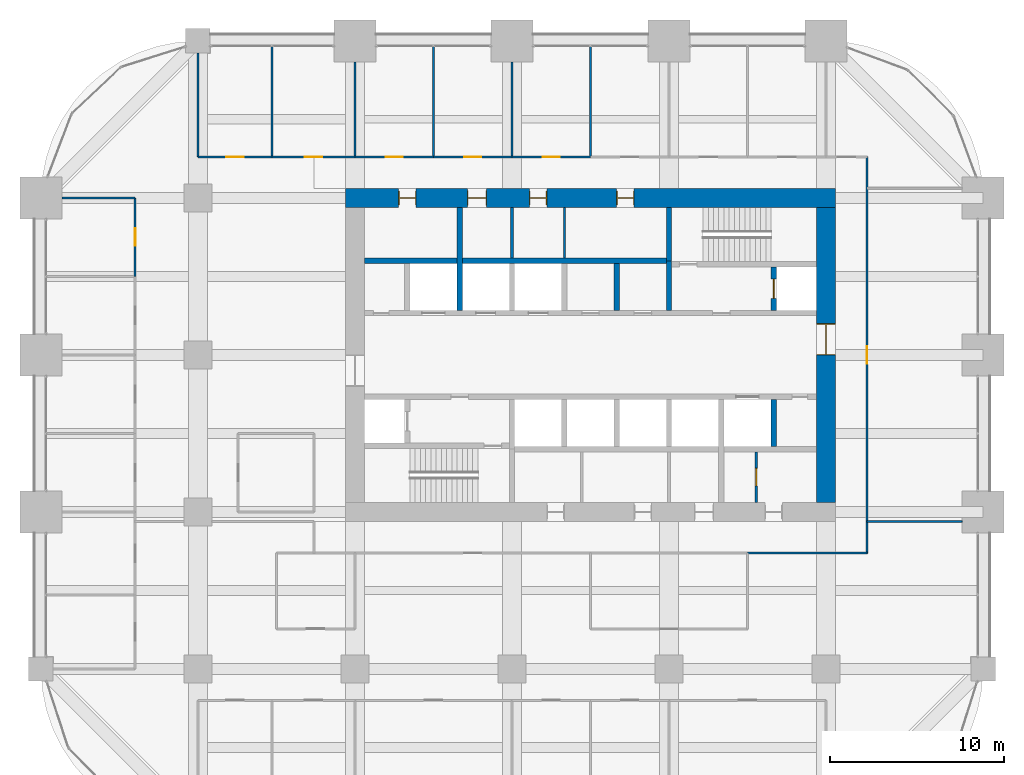
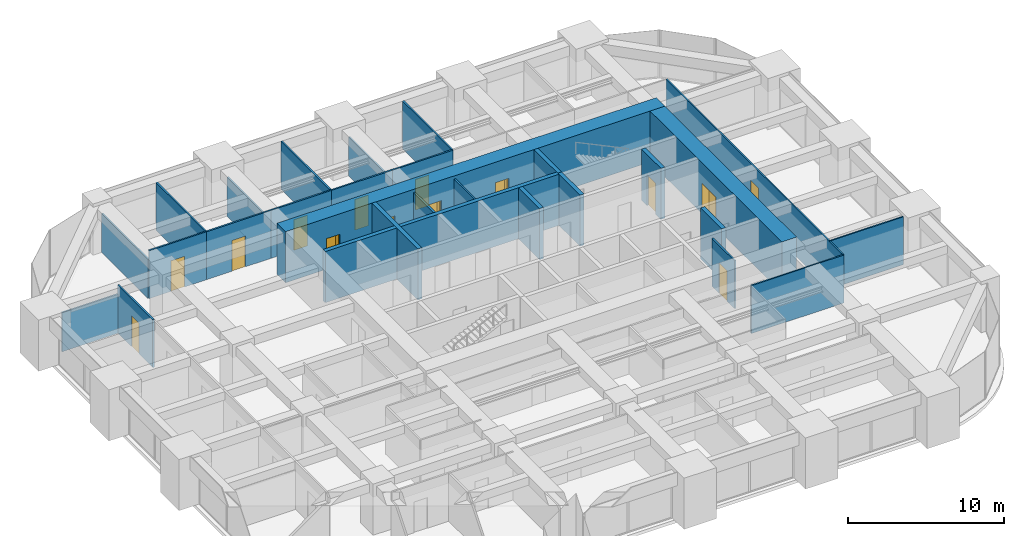
# One storey, part 31 of 34: 28 walls, 14 doors, 14 openings.
"""IFC4 building model written with IfcOpenShell, lengths in metres."""

from ifc_helpers import new_model, si_unit, direction, frame, frame_2d, origin, place, context, subcontext, project, spatial, rectangle, extrude, material, layer, layer_set, type_object, element, fill, save


model = new_model("IFC4")

# Units and contexts
model_context = context("Model", 3, precision=1e-05, world=origin(), true_north=direction((0.0, 1.0)))
body_context = subcontext(model_context, "Body", "Model", "MODEL_VIEW")
ifc_project = project(units=[si_unit("LENGTHUNIT", "METRE"), si_unit("AREAUNIT", "SQUARE_METRE"), si_unit("VOLUMEUNIT", "CUBIC_METRE"), si_unit("PLANEANGLEUNIT", "RADIAN"), si_unit("MASSUNIT", "GRAM", prefix="KILO")], contexts=[model_context])

# Site, building, storey
site_placement = place(None, origin())
site = spatial("IfcSite", under=ifc_project, at=site_placement, CompositionType="ELEMENT")
building_placement = place(site_placement, origin())
building = spatial("IfcBuilding", under=site, at=building_placement, Name="Zorevar Civic Tower", CompositionType="ELEMENT")
storey_placement = place(building_placement, frame((0.0, 0.0, 170.199951171875)))
storey = spatial("IfcBuildingStorey", under=building, at=storey_placement, Name="L41", CompositionType="ELEMENT", Elevation=170.199951171875)

# Wall, openings, doors
ifc_material_1 = material(Name="Concrete C50/60", Category="concrete")
ifc_layer_1 = layer(ifc_material_1, 1.10009765625)
ifc_layer_set_1 = layer_set([ifc_layer_1], Name="Core wall 1100")
wall_type_1 = type_object("IfcWallType", Name="Core wall 1100", PredefinedType="SHEAR", material=ifc_layer_set_1)
wall_1_placement = place(storey_placement, frame((45.550048828125, 36.0, 0.0), z_axis=(0.0, 0.0, 1.0), x_axis=(-1.0, 0.0, 0.0)))
wall_1 = element("IfcWall", 1, at=wall_1_placement, inside=storey, type_object=wall_type_1, Name="Core wall N L41", PredefinedType="SHEAR", context=body_context, shape_type="SweptSolid", body=[
    extrude(rectangle(XDim=28.10009765625, YDim=1.10009765625, at=frame_2d((14.050048828125, 0.0))), origin(), (0.0, 0.0, 1.0), 4.0),
])
opening_1_placement = place(wall_1_placement, frame((11.550048828125, 0.0, 0.0)))
opening_1 = element("IfcOpeningElement", 2, at=opening_1_placement, cuts=wall_1, Name="Opening L41.07", PredefinedType="OPENING", context=body_context, shape_type="SweptSolid", body=[
    extrude(rectangle(XDim=1.0, YDim=2.39990234375, at=frame_2d((0.5, 1.199951171875))), frame((0.0, 0.56005859375, 0.0), z_axis=(0.0, -1.0, 0.0), x_axis=(1.0, 0.0, 0.0)), (0.0, 0.0, 1.0), 1.1201171875),
])
opening_2_placement = place(wall_1_placement, frame((16.550048828125, 0.0, 0.0)))
opening_2 = element("IfcOpeningElement", 3, at=opening_2_placement, cuts=wall_1, Name="Opening L41.08", PredefinedType="OPENING", context=body_context, shape_type="SweptSolid", body=[
    extrude(rectangle(XDim=1.0, YDim=2.39990234375, at=frame_2d((0.5, 1.199951171875))), frame((0.0, 0.56005859375, 0.0), z_axis=(0.0, -1.0, 0.0), x_axis=(1.0, 0.0, 0.0)), (0.0, 0.0, 1.0), 1.1201171875),
])
opening_3_placement = place(wall_1_placement, frame((20.0, 0.0, 0.0)))
opening_3 = element("IfcOpeningElement", 4, at=opening_3_placement, cuts=wall_1, Name="Opening L41.09", PredefinedType="OPENING", context=body_context, shape_type="SweptSolid", body=[
    extrude(rectangle(XDim=1.10009765625, YDim=2.39990234375, at=frame_2d((0.550048828125, 1.199951171875))), frame((0.0, 0.56005859375, 0.0), z_axis=(0.0, -1.0, 0.0), x_axis=(1.0, 0.0, 0.0)), (0.0, 0.0, 1.0), 1.1201171875),
])
opening_4_placement = place(wall_1_placement, frame((24.050048828125, 0.0, 0.0)))
opening_4 = element("IfcOpeningElement", 5, at=opening_4_placement, cuts=wall_1, Name="Opening L41.10", PredefinedType="OPENING", context=body_context, shape_type="SweptSolid", body=[
    extrude(rectangle(XDim=1.0, YDim=2.39990234375, at=frame_2d((0.5, 1.199951171875))), frame((0.0, 0.56005859375, 0.0), z_axis=(0.0, -1.0, 0.0), x_axis=(1.0, 0.0, 0.0)), (0.0, 0.0, 1.0), 1.1201171875),
])
ifc_material_2 = material(Name="Timber door set", Category="wood")
door_type_1 = type_object("IfcDoorType", Name="Door D1 1000x2400", OperationType="SINGLE_SWING_LEFT", PredefinedType="DOOR", material=ifc_material_2)
door_1_placement = place(opening_1_placement, origin())
door_1 = element("IfcDoor", 6, at=door_1_placement, inside=storey, type_object=door_type_1, Name="Door L41 06", OperationType="SINGLE_SWING_RIGHT", OverallHeight=2.39990234375, OverallWidth=1.0, PredefinedType="DOOR", context=body_context, shape_type="SweptSolid", body=[
    extrude(rectangle(XDim=1.0, YDim=2.39990234375, at=frame_2d((0.5, 1.199951171875))), frame((0.0, 0.02490234375, 0.0), z_axis=(0.0, -1.0, 0.0), x_axis=(1.0, 0.0, 0.0)), (0.0, 0.0, 1.0), 0.050048828125),
    extrude(rectangle(XDim=0.04, YDim=2.39990234375, at=frame_2d((0.02001953125, 1.199951171875))), frame((0.0, 0.39990234375, 0.0), z_axis=(0.0, -1.0, 0.0), x_axis=(1.0, 0.0, 0.0)), (0.0, 0.0, 1.0), 0.800048828125),
    extrude(rectangle(XDim=0.04, YDim=2.39990234375, at=frame_2d((0.97998046875, 1.199951171875))), frame((0.0, 0.39990234375, 0.0), z_axis=(0.0, -1.0, 0.0), x_axis=(1.0, 0.0, 0.0)), (0.0, 0.0, 1.0), 0.800048828125),
    extrude(rectangle(XDim=1.0, YDim=0.04, at=frame_2d((0.5, 2.3798828125))), frame((0.0, 0.39990234375, 0.0), z_axis=(0.0, -1.0, 0.0), x_axis=(1.0, 0.0, 0.0)), (0.0, 0.0, 1.0), 0.800048828125),
])
fill(opening_1, door_1)
door_2_placement = place(opening_2_placement, origin())
door_2 = element("IfcDoor", 7, at=door_2_placement, inside=storey, type_object=door_type_1, Name="Door L41 07", OperationType="SINGLE_SWING_LEFT", OverallHeight=2.39990234375, OverallWidth=1.0, PredefinedType="DOOR", context=body_context, shape_type="SweptSolid", body=[
    extrude(rectangle(XDim=1.0, YDim=2.39990234375, at=frame_2d((0.5, 1.199951171875))), frame((0.0, 0.02490234375, 0.0), z_axis=(0.0, -1.0, 0.0), x_axis=(1.0, 0.0, 0.0)), (0.0, 0.0, 1.0), 0.050048828125),
    extrude(rectangle(XDim=0.04, YDim=2.39990234375, at=frame_2d((0.02001953125, 1.199951171875))), frame((0.0, 0.39990234375, 0.0), z_axis=(0.0, -1.0, 0.0), x_axis=(1.0, 0.0, 0.0)), (0.0, 0.0, 1.0), 0.800048828125),
    extrude(rectangle(XDim=0.04, YDim=2.39990234375, at=frame_2d((0.97998046875, 1.199951171875))), frame((0.0, 0.39990234375, 0.0), z_axis=(0.0, -1.0, 0.0), x_axis=(1.0, 0.0, 0.0)), (0.0, 0.0, 1.0), 0.800048828125),
    extrude(rectangle(XDim=1.0, YDim=0.04, at=frame_2d((0.5, 2.3798828125))), frame((0.0, 0.39990234375, 0.0), z_axis=(0.0, -1.0, 0.0), x_axis=(1.0, 0.0, 0.0)), (0.0, 0.0, 1.0), 0.800048828125),
])
fill(opening_2, door_2)
door_3_placement = place(opening_4_placement, origin())
door_3 = element("IfcDoor", 8, at=door_3_placement, inside=storey, type_object=door_type_1, Name="Door L41 09", OperationType="SINGLE_SWING_LEFT", OverallHeight=2.39990234375, OverallWidth=1.0, PredefinedType="DOOR", context=body_context, shape_type="SweptSolid", body=[
    extrude(rectangle(XDim=1.0, YDim=2.39990234375, at=frame_2d((0.5, 1.199951171875))), frame((0.0, 0.02490234375, 0.0), z_axis=(0.0, -1.0, 0.0), x_axis=(1.0, 0.0, 0.0)), (0.0, 0.0, 1.0), 0.050048828125),
    extrude(rectangle(XDim=0.04, YDim=2.39990234375, at=frame_2d((0.02001953125, 1.199951171875))), frame((0.0, 0.39990234375, 0.0), z_axis=(0.0, -1.0, 0.0), x_axis=(1.0, 0.0, 0.0)), (0.0, 0.0, 1.0), 0.800048828125),
    extrude(rectangle(XDim=0.04, YDim=2.39990234375, at=frame_2d((0.97998046875, 1.199951171875))), frame((0.0, 0.39990234375, 0.0), z_axis=(0.0, -1.0, 0.0), x_axis=(1.0, 0.0, 0.0)), (0.0, 0.0, 1.0), 0.800048828125),
    extrude(rectangle(XDim=1.0, YDim=0.04, at=frame_2d((0.5, 2.3798828125))), frame((0.0, 0.39990234375, 0.0), z_axis=(0.0, -1.0, 0.0), x_axis=(1.0, 0.0, 0.0)), (0.0, 0.0, 1.0), 0.800048828125),
])
fill(opening_4, door_3)
ifc_material_3 = material(Name="Timber door set", Category="wood")
door_type_2 = type_object("IfcDoorType", Name="Door D5 1100x2400", OperationType="SINGLE_SWING_LEFT", PredefinedType="DOOR", material=ifc_material_3)
door_4_placement = place(opening_3_placement, origin())
door_4 = element("IfcDoor", 9, at=door_4_placement, inside=storey, type_object=door_type_2, Name="Door L41 08", OperationType="SINGLE_SWING_LEFT", OverallHeight=2.39990234375, OverallWidth=1.10009765625, PredefinedType="DOOR", context=body_context, shape_type="SweptSolid", body=[
    extrude(rectangle(XDim=1.10009765625, YDim=2.39990234375, at=frame_2d((0.550048828125, 1.199951171875))), frame((0.0, 0.02490234375, 0.0), z_axis=(0.0, -1.0, 0.0), x_axis=(1.0, 0.0, 0.0)), (0.0, 0.0, 1.0), 0.050048828125),
    extrude(rectangle(XDim=0.04, YDim=2.39990234375, at=frame_2d((0.02001953125, 1.199951171875))), frame((0.0, 0.43994140625, 0.0), z_axis=(0.0, -1.0, 0.0), x_axis=(1.0, 0.0, 0.0)), (0.0, 0.0, 1.0), 0.880126953125),
    extrude(rectangle(XDim=0.04, YDim=2.39990234375, at=frame_2d((1.080078125, 1.199951171875))), frame((0.0, 0.43994140625, 0.0), z_axis=(0.0, -1.0, 0.0), x_axis=(1.0, 0.0, 0.0)), (0.0, 0.0, 1.0), 0.880126953125),
    extrude(rectangle(XDim=1.10009765625, YDim=0.04, at=frame_2d((0.550048828125, 2.3798828125))), frame((0.0, 0.43994140625, 0.0), z_axis=(0.0, -1.0, 0.0), x_axis=(1.0, 0.0, 0.0)), (0.0, 0.0, 1.0), 0.880126953125),
])
fill(opening_3, door_4)

# Wall, opening, door
wall_2_placement = place(storey_placement, frame((45.0, 18.550048828125, 0.0), z_axis=(0.0, 0.0, 1.0), x_axis=(0.0, 1.0, 0.0)))
wall_2 = element("IfcWall", 10, at=wall_2_placement, inside=storey, type_object=wall_type_1, Name="Core wall E L41", PredefinedType="SHEAR", context=body_context, shape_type="SweptSolid", body=[
    extrude(rectangle(XDim=16.89990234375, YDim=1.10009765625, at=frame_2d((8.449951171875, 0.0))), origin(), (0.0, 0.0, 1.0), 4.0),
])
opening_5_placement = place(wall_2_placement, frame((8.449951171875, 0.0, 0.0)))
opening_5 = element("IfcOpeningElement", 11, at=opening_5_placement, cuts=wall_2, Name="Opening L41.02", PredefinedType="OPENING", context=body_context, shape_type="SweptSolid", body=[
    extrude(rectangle(XDim=1.800048828125, YDim=2.39990234375, at=frame_2d((0.89990234375, 1.199951171875))), frame((0.0, 0.56005859375, 0.0), z_axis=(0.0, -1.0, 0.0), x_axis=(1.0, 0.0, 0.0)), (0.0, 0.0, 1.0), 1.1201171875),
])
ifc_material_4 = material(Name="Steel door set", Category="steel")
door_type_3 = type_object("IfcDoorType", Name="Fire door FD2 1800x2400", OperationType="DOUBLE_DOOR_DOUBLE_SWING", PredefinedType="DOOR", material=ifc_material_4)
door_5_placement = place(opening_5_placement, origin())
door_5 = element("IfcDoor", 12, at=door_5_placement, inside=storey, type_object=door_type_3, Name="Door L41 01", OperationType="DOUBLE_DOOR_DOUBLE_SWING", OverallHeight=2.39990234375, OverallWidth=1.800048828125, PredefinedType="DOOR", context=body_context, shape_type="SweptSolid", body=[
    extrude(rectangle(XDim=1.800048828125, YDim=2.39990234375, at=frame_2d((0.89990234375, 1.199951171875))), frame((0.0, 0.030029296875, 0.0), z_axis=(0.0, -1.0, 0.0), x_axis=(1.0, 0.0, 0.0)), (0.0, 0.0, 1.0), 0.06005859375),
    extrude(rectangle(XDim=0.04, YDim=2.39990234375, at=frame_2d((0.02001953125, 1.199951171875))), frame((0.0, 0.5498046875, 0.0), z_axis=(0.0, -1.0, 0.0), x_axis=(1.0, 0.0, 0.0)), (0.0, 0.0, 1.0), 1.099609375),
    extrude(rectangle(XDim=0.04, YDim=2.39990234375, at=frame_2d((1.780029296875, 1.199951171875))), frame((0.0, 0.5498046875, 0.0), z_axis=(0.0, -1.0, 0.0), x_axis=(1.0, 0.0, 0.0)), (0.0, 0.0, 1.0), 1.099609375),
    extrude(rectangle(XDim=1.800048828125, YDim=0.04, at=frame_2d((0.89990234375, 2.3798828125))), frame((0.0, 0.5498046875, 0.0), z_axis=(0.0, -1.0, 0.0), x_axis=(1.0, 0.0, 0.0)), (0.0, 0.0, 1.0), 1.099609375),
])
fill(opening_5, door_5)

# Walls
ifc_material_5 = material(Name="Laminated glass in black aluminium frame", Category="aluminium")
ifc_layer_2 = layer(ifc_material_5, 0.10009765625)
ifc_layer_set_2 = layer_set([ifc_layer_2], Name="Glazed partition 100")
wall_type_2 = type_object("IfcWallType", Name="Glazed partition 100", PredefinedType="PARTITIONING", material=ifc_layer_set_2)
wall_3_placement = place(storey_placement, frame((40.5, 15.64990234375, 0.0), z_axis=(0.0, 0.0, 1.0), x_axis=(1.0, 0.0, 0.0)))
element("IfcWall", 13, at=wall_3_placement, inside=storey, type_object=wall_type_2, Name="Glazed partition 100 L41", PredefinedType="PARTITIONING", context=body_context, shape_type="SweptSolid", body=[
    extrude(rectangle(XDim=6.85009765625, YDim=0.10009765625, at=frame_2d((3.425048828125, 0.0))), origin(), (0.0, 0.0, 1.0), 3.75),
])
wall_4_placement = place(storey_placement, frame((47.35009765625, 17.449951171875, 0.0), z_axis=(0.0, 0.0, 1.0), x_axis=(1.0, 0.0, 0.0)))
element("IfcWall", 14, at=wall_4_placement, inside=storey, type_object=wall_type_2, Name="Glazed partition 100 L41", PredefinedType="PARTITIONING", context=body_context, shape_type="SweptSolid", body=[
    extrude(rectangle(XDim=5.449951171875, YDim=0.10009765625, at=frame_2d((2.72509765625, 0.0))), origin(), (0.0, 0.0, 1.0), 3.75),
])

# Wall, opening, door
wall_5_placement = place(storey_placement, frame((47.35009765625, 15.64990234375, 0.0), z_axis=(0.0, 0.0, 1.0), x_axis=(0.0, 1.0, 0.0)))
wall_5 = element("IfcWall", 15, at=wall_5_placement, inside=storey, type_object=wall_type_2, Name="Glazed partition 100 L41", PredefinedType="PARTITIONING", context=body_context, shape_type="SweptSolid", body=[
    extrude(rectangle(XDim=22.7001953125, YDim=0.10009765625, at=frame_2d((11.35009765625, 0.0))), origin(), (0.0, 0.0, 1.0), 3.75),
])
opening_6_placement = place(wall_5_placement, frame((10.85009765625, 0.0, 0.0)))
opening_6 = element("IfcOpeningElement", 16, at=opening_6_placement, cuts=wall_5, Name="Opening L41.42", PredefinedType="OPENING", context=body_context, shape_type="SweptSolid", body=[
    extrude(rectangle(XDim=1.0, YDim=2.39990234375, at=frame_2d((0.5, 1.199951171875))), frame((0.0, 0.06005859375, 0.0), z_axis=(0.0, -1.0, 0.0), x_axis=(1.0, 0.0, 0.0)), (0.0, 0.0, 1.0), 0.1201171875),
])
ifc_material_6 = material(Name="Timber door set", Category="wood")
door_type_4 = type_object("IfcDoorType", Name="Glazed door GD1 1000x2400", OperationType="SINGLE_SWING_LEFT", PredefinedType="DOOR", material=ifc_material_6)
door_6_placement = place(opening_6_placement, origin())
door_6 = element("IfcDoor", 17, at=door_6_placement, inside=storey, type_object=door_type_4, Name="Door L41 D1", OperationType="SINGLE_SWING_LEFT", OverallHeight=2.39990234375, OverallWidth=1.0, PredefinedType="DOOR", context=body_context, shape_type="SweptSolid", body=[
    extrude(rectangle(XDim=1.0, YDim=2.39990234375, at=frame_2d((0.5, 1.199951171875))), frame((0.0, 0.02001953125, 0.0), z_axis=(0.0, -1.0, 0.0), x_axis=(1.0, 0.0, 0.0)), (0.0, 0.0, 1.0), 0.0400390625),
])
fill(opening_6, door_6)

# Wall
ifc_material_7 = material(Name="Concrete C40/50", Category="concrete")
ifc_layer_3 = layer(ifc_material_7, 0.300048828125)
ifc_layer_set_3 = layer_set([ifc_layer_3], Name="Inner core wall 300")
wall_type_3 = type_object("IfcWallType", Name="Inner core wall 300", PredefinedType="SHEAR", material=ifc_layer_set_3)
wall_6_placement = place(storey_placement, frame((36.0, 32.39990234375, 0.0), z_axis=(0.0, 0.0, 1.0), x_axis=(0.0, 1.0, 0.0)))
element("IfcWall", 18, at=wall_6_placement, inside=storey, type_object=wall_type_3, Name="Inner core wall N01 L41", PredefinedType="SHEAR", context=body_context, shape_type="SweptSolid", body=[
    extrude(rectangle(XDim=3.050048828125, YDim=0.300048828125, at=frame_2d((1.52490234375, 0.0))), origin(), (0.0, 0.0, 1.0), 4.0),
])

# Wall, opening, door
wall_7_placement = place(storey_placement, frame((42.0, 29.550048828125, 0.0), z_axis=(0.0, 0.0, 1.0), x_axis=(0.0, 1.0, 0.0)))
wall_7 = element("IfcWall", 19, at=wall_7_placement, inside=storey, type_object=wall_type_3, Name="Inner core wall N02 L41", PredefinedType="SHEAR", context=body_context, shape_type="SweptSolid", body=[
    extrude(rectangle(XDim=2.5, YDim=0.300048828125, at=frame_2d((1.25, 0.0))), origin(), (0.0, 0.0, 1.0), 4.0),
])
opening_7_placement = place(wall_7_placement, frame((0.699951171875, 0.0, 0.0)))
opening_7 = element("IfcOpeningElement", 20, at=opening_7_placement, cuts=wall_7, Name="Opening L41.FL2", PredefinedType="OPENING", context=body_context, shape_type="SweptSolid", body=[
    extrude(rectangle(XDim=1.10009765625, YDim=2.39990234375, at=frame_2d((0.550048828125, 1.199951171875))), frame((0.0, 0.159912109375, 0.0), z_axis=(0.0, -1.0, 0.0), x_axis=(1.0, 0.0, 0.0)), (0.0, 0.0, 1.0), 0.320068359375),
])
ifc_material_8 = material(Name="Steel door set", Category="steel")
door_type_5 = type_object("IfcDoorType", Name="Firefighting lift landing door LD3 1100x2400", OperationType="DOUBLE_DOOR_SLIDING", PredefinedType="DOOR", material=ifc_material_8)
door_7_placement = place(opening_7_placement, origin())
door_7 = element("IfcDoor", 21, at=door_7_placement, inside=storey, type_object=door_type_5, Name="Landing door FL2 L41", OperationType="DOUBLE_DOOR_SLIDING", OverallHeight=2.39990234375, OverallWidth=1.10009765625, PredefinedType="DOOR", context=body_context, shape_type="SweptSolid", body=[
    extrude(rectangle(XDim=1.10009765625, YDim=2.39990234375, at=frame_2d((0.550048828125, 1.199951171875))), frame((0.0, 0.030029296875, 0.0), z_axis=(0.0, -1.0, 0.0), x_axis=(1.0, 0.0, 0.0)), (0.0, 0.0, 1.0), 0.06005859375),
])
fill(opening_7, door_7)

# Walls
wall_8_placement = place(storey_placement, frame((18.550048828125, 32.39990234375, 0.0), z_axis=(0.0, 0.0, 1.0), x_axis=(1.0, 0.0, 0.0)))
element("IfcWall", 22, at=wall_8_placement, inside=storey, type_object=wall_type_3, Name="Inner core wall N04 L41", PredefinedType="SHEAR", context=body_context, shape_type="SweptSolid", body=[
    extrude(rectangle(XDim=17.300048828125, YDim=0.300048828125, at=frame_2d((8.64990234375, 0.0))), origin(), (0.0, 0.0, 1.0), 4.0),
])
wall_9_placement = place(storey_placement, frame((33.0, 29.550048828125, 0.0), z_axis=(0.0, 0.0, 1.0), x_axis=(0.0, 1.0, 0.0)))
element("IfcWall", 23, at=wall_9_placement, inside=storey, type_object=wall_type_3, Name="Inner core wall N05 L41", PredefinedType="SHEAR", context=body_context, shape_type="SweptSolid", body=[
    extrude(rectangle(XDim=2.699951171875, YDim=0.300048828125, at=frame_2d((1.35009765625, 0.0))), origin(), (0.0, 0.0, 1.0), 4.0),
])
wall_10_placement = place(storey_placement, frame((24.0, 29.550048828125, 0.0), z_axis=(0.0, 0.0, 1.0), x_axis=(0.0, 1.0, 0.0)))
element("IfcWall", 24, at=wall_10_placement, inside=storey, type_object=wall_type_3, Name="Inner core wall N08 L41", PredefinedType="SHEAR", context=body_context, shape_type="SweptSolid", body=[
    extrude(rectangle(XDim=5.89990234375, YDim=0.300048828125, at=frame_2d((2.949951171875, 0.0))), origin(), (0.0, 0.0, 1.0), 4.0),
])
wall_11_placement = place(storey_placement, frame((42.0, 21.75, 0.0), z_axis=(0.0, 0.0, 1.0), x_axis=(0.0, 1.0, 0.0)))
element("IfcWall", 25, at=wall_11_placement, inside=storey, type_object=wall_type_3, Name="Inner core wall S09 L41", PredefinedType="SHEAR", context=body_context, shape_type="SweptSolid", body=[
    extrude(rectangle(XDim=2.699951171875, YDim=0.300048828125, at=frame_2d((1.35009765625, 0.0))), origin(), (0.0, 0.0, 1.0), 4.0),
])
wall_12_placement = place(storey_placement, frame((36.0, 29.550048828125, 0.0), z_axis=(0.0, 0.0, 1.0), x_axis=(0.0, 1.0, 0.0)))
element("IfcWall", 26, at=wall_12_placement, inside=storey, type_object=wall_type_3, Name="Inner core wall N10 L41", PredefinedType="SHEAR", context=body_context, shape_type="SweptSolid", body=[
    extrude(rectangle(XDim=2.849853515625, YDim=0.300048828125, at=frame_2d((1.4248046875, 0.0))), origin(), (0.0, 0.0, 1.0), 4.0),
])
ifc_material_9 = material(Name="Gypsum board on steel studs", Category="steel")
ifc_layer_4 = layer(ifc_material_9, 0.1201171875)
ifc_layer_set_4 = layer_set([ifc_layer_4], Name="Partition 120")
wall_type_4 = type_object("IfcWallType", Name="Partition 120", PredefinedType="PARTITIONING", material=ifc_layer_set_4)
wall_13_placement = place(storey_placement, frame((1.199951171875, 36.0, 0.0), z_axis=(0.0, 0.0, 1.0), x_axis=(1.0, 0.0, 0.0)))
element("IfcWall", 27, at=wall_13_placement, inside=storey, type_object=wall_type_4, Name="Partition 120 L41", PredefinedType="PARTITIONING", context=body_context, shape_type="SweptSolid", body=[
    extrude(rectangle(XDim=4.199951171875, YDim=0.1201171875, at=frame_2d((2.10009765625, 0.0))), origin(), (0.0, 0.0, 1.0), 3.050048828125),
])

# Wall, opening, door
wall_14_placement = place(storey_placement, frame((9.0, 38.35009765625, 0.0), z_axis=(0.0, 0.0, 1.0), x_axis=(1.0, 0.0, 0.0)))
wall_14 = element("IfcWall", 28, at=wall_14_placement, inside=storey, type_object=wall_type_4, Name="Partition 120 L41", PredefinedType="PARTITIONING", context=body_context, shape_type="SweptSolid", body=[
    extrude(rectangle(XDim=4.25, YDim=0.1201171875, at=frame_2d((2.125, 0.0))), origin(), (0.0, 0.0, 1.0), 3.75),
])
opening_8_placement = place(wall_14_placement, frame((1.625, 0.0, 0.0)))
opening_8 = element("IfcOpeningElement", 29, at=opening_8_placement, cuts=wall_14, Name="Opening L41.26", PredefinedType="OPENING", context=body_context, shape_type="SweptSolid", body=[
    extrude(rectangle(XDim=1.0, YDim=2.39990234375, at=frame_2d((0.5, 1.199951171875))), frame((0.0, 0.070068359375, 0.0), z_axis=(0.0, -1.0, 0.0), x_axis=(1.0, 0.0, 0.0)), (0.0, 0.0, 1.0), 0.14013671875),
])
door_8_placement = place(opening_8_placement, origin())
door_8 = element("IfcDoor", 30, at=door_8_placement, inside=storey, type_object=door_type_1, Name="Door L41 D1", OperationType="SINGLE_SWING_RIGHT", OverallHeight=2.39990234375, OverallWidth=1.0, PredefinedType="DOOR", context=body_context, shape_type="SweptSolid", body=[
    extrude(rectangle(XDim=1.0, YDim=2.39990234375, at=frame_2d((0.5, 1.199951171875))), frame((0.0, 0.02490234375, 0.0), z_axis=(0.0, -1.0, 0.0), x_axis=(1.0, 0.0, 0.0)), (0.0, 0.0, 1.0), 0.050048828125),
])
fill(opening_8, door_8)

wall_15_placement = place(storey_placement, frame((13.25, 38.35009765625, 0.0), z_axis=(0.0, 0.0, 1.0), x_axis=(1.0, 0.0, 0.0)))
wall_15 = element("IfcWall", 31, at=wall_15_placement, inside=storey, type_object=wall_type_4, Name="Partition 120 L41", PredefinedType="PARTITIONING", context=body_context, shape_type="SweptSolid", body=[
    extrude(rectangle(XDim=4.75, YDim=0.1201171875, at=frame_2d((2.375, 0.0))), origin(), (0.0, 0.0, 1.0), 3.75),
])
opening_9_placement = place(wall_15_placement, frame((1.875, 0.0, 0.0)))
opening_9 = element("IfcOpeningElement", 32, at=opening_9_placement, cuts=wall_15, Name="Opening L41.27", PredefinedType="OPENING", context=body_context, shape_type="SweptSolid", body=[
    extrude(rectangle(XDim=1.0, YDim=2.39990234375, at=frame_2d((0.5, 1.199951171875))), frame((0.0, 0.070068359375, 0.0), z_axis=(0.0, -1.0, 0.0), x_axis=(1.0, 0.0, 0.0)), (0.0, 0.0, 1.0), 0.14013671875),
])
door_9_placement = place(opening_9_placement, origin())
door_9 = element("IfcDoor", 33, at=door_9_placement, inside=storey, type_object=door_type_1, Name="Door L41 D1", OperationType="SINGLE_SWING_RIGHT", OverallHeight=2.39990234375, OverallWidth=1.0, PredefinedType="DOOR", context=body_context, shape_type="SweptSolid", body=[
    extrude(rectangle(XDim=1.0, YDim=2.39990234375, at=frame_2d((0.5, 1.199951171875))), frame((0.0, 0.02490234375, 0.0), z_axis=(0.0, -1.0, 0.0), x_axis=(1.0, 0.0, 0.0)), (0.0, 0.0, 1.0), 0.050048828125),
])
fill(opening_9, door_9)

wall_16_placement = place(storey_placement, frame((18.0, 38.35009765625, 0.0), z_axis=(0.0, 0.0, 1.0), x_axis=(1.0, 0.0, 0.0)))
wall_16 = element("IfcWall", 34, at=wall_16_placement, inside=storey, type_object=wall_type_4, Name="Partition 120 L41", PredefinedType="PARTITIONING", context=body_context, shape_type="SweptSolid", body=[
    extrude(rectangle(XDim=4.5, YDim=0.1201171875, at=frame_2d((2.25, 0.0))), origin(), (0.0, 0.0, 1.0), 3.75),
])
opening_10_placement = place(wall_16_placement, frame((1.75, 0.0, 0.0)))
opening_10 = element("IfcOpeningElement", 35, at=opening_10_placement, cuts=wall_16, Name="Opening L41.28", PredefinedType="OPENING", context=body_context, shape_type="SweptSolid", body=[
    extrude(rectangle(XDim=1.0, YDim=2.39990234375, at=frame_2d((0.5, 1.199951171875))), frame((0.0, 0.070068359375, 0.0), z_axis=(0.0, -1.0, 0.0), x_axis=(1.0, 0.0, 0.0)), (0.0, 0.0, 1.0), 0.14013671875),
])
door_10_placement = place(opening_10_placement, origin())
door_10 = element("IfcDoor", 36, at=door_10_placement, inside=storey, type_object=door_type_1, Name="Door L41 D1", OperationType="SINGLE_SWING_RIGHT", OverallHeight=2.39990234375, OverallWidth=1.0, PredefinedType="DOOR", context=body_context, shape_type="SweptSolid", body=[
    extrude(rectangle(XDim=1.0, YDim=2.39990234375, at=frame_2d((0.5, 1.199951171875))), frame((0.0, 0.02490234375, 0.0), z_axis=(0.0, -1.0, 0.0), x_axis=(1.0, 0.0, 0.0)), (0.0, 0.0, 1.0), 0.050048828125),
])
fill(opening_10, door_10)

wall_17_placement = place(storey_placement, frame((22.5, 38.35009765625, 0.0), z_axis=(0.0, 0.0, 1.0), x_axis=(1.0, 0.0, 0.0)))
wall_17 = element("IfcWall", 37, at=wall_17_placement, inside=storey, type_object=wall_type_4, Name="Partition 120 L41", PredefinedType="PARTITIONING", context=body_context, shape_type="SweptSolid", body=[
    extrude(rectangle(XDim=4.5, YDim=0.1201171875, at=frame_2d((2.25, 0.0))), origin(), (0.0, 0.0, 1.0), 3.75),
])
opening_11_placement = place(wall_17_placement, frame((1.75, 0.0, 0.0)))
opening_11 = element("IfcOpeningElement", 38, at=opening_11_placement, cuts=wall_17, Name="Opening L41.29", PredefinedType="OPENING", context=body_context, shape_type="SweptSolid", body=[
    extrude(rectangle(XDim=1.0, YDim=2.39990234375, at=frame_2d((0.5, 1.199951171875))), frame((0.0, 0.070068359375, 0.0), z_axis=(0.0, -1.0, 0.0), x_axis=(1.0, 0.0, 0.0)), (0.0, 0.0, 1.0), 0.14013671875),
])
door_11_placement = place(opening_11_placement, origin())
door_11 = element("IfcDoor", 39, at=door_11_placement, inside=storey, type_object=door_type_1, Name="Door L41 D1", OperationType="SINGLE_SWING_LEFT", OverallHeight=2.39990234375, OverallWidth=1.0, PredefinedType="DOOR", context=body_context, shape_type="SweptSolid", body=[
    extrude(rectangle(XDim=1.0, YDim=2.39990234375, at=frame_2d((0.5, 1.199951171875))), frame((0.0, 0.02490234375, 0.0), z_axis=(0.0, -1.0, 0.0), x_axis=(1.0, 0.0, 0.0)), (0.0, 0.0, 1.0), 0.050048828125),
])
fill(opening_11, door_11)

wall_18_placement = place(storey_placement, frame((27.0, 38.35009765625, 0.0), z_axis=(0.0, 0.0, 1.0), x_axis=(1.0, 0.0, 0.0)))
wall_18 = element("IfcWall", 40, at=wall_18_placement, inside=storey, type_object=wall_type_4, Name="Partition 120 L41", PredefinedType="PARTITIONING", context=body_context, shape_type="SweptSolid", body=[
    extrude(rectangle(XDim=4.5, YDim=0.1201171875, at=frame_2d((2.25, 0.0))), origin(), (0.0, 0.0, 1.0), 3.75),
])
opening_12_placement = place(wall_18_placement, frame((1.75, 0.0, 0.0)))
opening_12 = element("IfcOpeningElement", 41, at=opening_12_placement, cuts=wall_18, Name="Opening L41.30", PredefinedType="OPENING", context=body_context, shape_type="SweptSolid", body=[
    extrude(rectangle(XDim=1.0, YDim=2.39990234375, at=frame_2d((0.5, 1.199951171875))), frame((0.0, 0.070068359375, 0.0), z_axis=(0.0, -1.0, 0.0), x_axis=(1.0, 0.0, 0.0)), (0.0, 0.0, 1.0), 0.14013671875),
])
door_12_placement = place(opening_12_placement, origin())
door_12 = element("IfcDoor", 42, at=door_12_placement, inside=storey, type_object=door_type_1, Name="Door L41 D1", OperationType="SINGLE_SWING_RIGHT", OverallHeight=2.39990234375, OverallWidth=1.0, PredefinedType="DOOR", context=body_context, shape_type="SweptSolid", body=[
    extrude(rectangle(XDim=1.0, YDim=2.39990234375, at=frame_2d((0.5, 1.199951171875))), frame((0.0, 0.02490234375, 0.0), z_axis=(0.0, -1.0, 0.0), x_axis=(1.0, 0.0, 0.0)), (0.0, 0.0, 1.0), 0.050048828125),
])
fill(opening_12, door_12)

wall_19_placement = place(storey_placement, frame((5.39990234375, 31.5, 0.0), z_axis=(0.0, 0.0, 1.0), x_axis=(0.0, 1.0, 0.0)))
wall_19 = element("IfcWall", 43, at=wall_19_placement, inside=storey, type_object=wall_type_4, Name="Partition 120 L41", PredefinedType="PARTITIONING", context=body_context, shape_type="SweptSolid", body=[
    extrude(rectangle(XDim=4.5, YDim=0.1201171875, at=frame_2d((2.25, 0.0))), origin(), (0.0, 0.0, 1.0), 3.75),
])
opening_13_placement = place(wall_19_placement, frame((1.75, 0.0, 0.0)))
opening_13 = element("IfcOpeningElement", 44, at=opening_13_placement, cuts=wall_19, Name="Opening L41.40", PredefinedType="OPENING", context=body_context, shape_type="SweptSolid", body=[
    extrude(rectangle(XDim=1.0, YDim=2.39990234375, at=frame_2d((0.5, 1.199951171875))), frame((0.0, 0.070068359375, 0.0), z_axis=(0.0, -1.0, 0.0), x_axis=(1.0, 0.0, 0.0)), (0.0, 0.0, 1.0), 0.14013671875),
])
door_13_placement = place(opening_13_placement, origin())
door_13 = element("IfcDoor", 45, at=door_13_placement, inside=storey, type_object=door_type_1, Name="Door L41 D1", OperationType="SINGLE_SWING_RIGHT", OverallHeight=2.39990234375, OverallWidth=1.0, PredefinedType="DOOR", context=body_context, shape_type="SweptSolid", body=[
    extrude(rectangle(XDim=1.0, YDim=2.39990234375, at=frame_2d((0.5, 1.199951171875))), frame((0.0, 0.02490234375, 0.0), z_axis=(0.0, -1.0, 0.0), x_axis=(1.0, 0.0, 0.0)), (0.0, 0.0, 1.0), 0.050048828125),
])
fill(opening_13, door_13)

# Walls
wall_20_placement = place(storey_placement, frame((9.0, 38.35009765625, 0.0), z_axis=(0.0, 0.0, 1.0), x_axis=(0.0, 1.0, 0.0)))
element("IfcWall", 46, at=wall_20_placement, inside=storey, type_object=wall_type_4, Name="Partition 120 L41", PredefinedType="PARTITIONING", context=body_context, shape_type="SweptSolid", body=[
    extrude(rectangle(XDim=5.949951171875, YDim=0.1201171875, at=frame_2d((2.97509765625, 0.0))), origin(), (0.0, 0.0, 1.0), 3.050048828125),
])
wall_21_placement = place(storey_placement, frame((13.25, 38.35009765625, 0.0), z_axis=(0.0, 0.0, 1.0), x_axis=(0.0, 1.0, 0.0)))
element("IfcWall", 47, at=wall_21_placement, inside=storey, type_object=wall_type_4, Name="Partition 120 L41", PredefinedType="PARTITIONING", context=body_context, shape_type="SweptSolid", body=[
    extrude(rectangle(XDim=6.33984375, YDim=0.1201171875, at=frame_2d((3.169921875, 0.0))), origin(), (0.0, 0.0, 1.0), 3.75),
])
wall_22_placement = place(storey_placement, frame((18.0, 38.35009765625, 0.0), z_axis=(0.0, 0.0, 1.0), x_axis=(0.0, 1.0, 0.0)))
element("IfcWall", 48, at=wall_22_placement, inside=storey, type_object=wall_type_4, Name="Partition 120 L41", PredefinedType="PARTITIONING", context=body_context, shape_type="SweptSolid", body=[
    extrude(rectangle(XDim=5.449951171875, YDim=0.1201171875, at=frame_2d((2.72509765625, 0.0))), origin(), (0.0, 0.0, 1.0), 3.050048828125),
])
wall_23_placement = place(storey_placement, frame((22.5, 38.35009765625, 0.0), z_axis=(0.0, 0.0, 1.0), x_axis=(0.0, 1.0, 0.0)))
element("IfcWall", 49, at=wall_23_placement, inside=storey, type_object=wall_type_4, Name="Partition 120 L41", PredefinedType="PARTITIONING", context=body_context, shape_type="SweptSolid", body=[
    extrude(rectangle(XDim=6.33984375, YDim=0.1201171875, at=frame_2d((3.169921875, 0.0))), origin(), (0.0, 0.0, 1.0), 3.75),
])
wall_24_placement = place(storey_placement, frame((27.0, 38.35009765625, 0.0), z_axis=(0.0, 0.0, 1.0), x_axis=(0.0, 1.0, 0.0)))
element("IfcWall", 50, at=wall_24_placement, inside=storey, type_object=wall_type_4, Name="Partition 120 L41", PredefinedType="PARTITIONING", context=body_context, shape_type="SweptSolid", body=[
    extrude(rectangle(XDim=5.449951171875, YDim=0.1201171875, at=frame_2d((2.72509765625, 0.0))), origin(), (0.0, 0.0, 1.0), 3.050048828125),
])
wall_25_placement = place(storey_placement, frame((31.5, 38.35009765625, 0.0), z_axis=(0.0, 0.0, 1.0), x_axis=(0.0, 1.0, 0.0)))
element("IfcWall", 51, at=wall_25_placement, inside=storey, type_object=wall_type_4, Name="Partition 120 L41", PredefinedType="PARTITIONING", context=body_context, shape_type="SweptSolid", body=[
    extrude(rectangle(XDim=6.33984375, YDim=0.1201171875, at=frame_2d((3.169921875, 0.0))), origin(), (0.0, 0.0, 1.0), 3.75),
])
wall_26_placement = place(storey_placement, frame((30.0, 32.550048828125, 0.0), z_axis=(0.0, 0.0, 1.0), x_axis=(0.0, 1.0, 0.0)))
element("IfcWall", 52, at=wall_26_placement, inside=storey, type_object=wall_type_4, Name="Partition L41", PredefinedType="PARTITIONING", context=body_context, shape_type="SweptSolid", body=[
    extrude(rectangle(XDim=2.89990234375, YDim=0.1201171875, at=frame_2d((1.449951171875, 0.0))), origin(), (0.0, 0.0, 1.0), 3.75),
])

# Wall, opening, door
wall_27_placement = place(storey_placement, frame((41.0, 18.550048828125, 0.0), z_axis=(0.0, 0.0, 1.0), x_axis=(0.0, 1.0, 0.0)))
wall_27 = element("IfcWall", 53, at=wall_27_placement, inside=storey, type_object=wall_type_4, Name="Partition L41", PredefinedType="PARTITIONING", context=body_context, shape_type="SweptSolid", body=[
    extrude(rectangle(XDim=2.89990234375, YDim=0.1201171875, at=frame_2d((1.449951171875, 0.0))), origin(), (0.0, 0.0, 1.0), 3.75),
])
opening_14_placement = place(wall_27_placement, frame((0.949951171875, 0.0, 0.0)))
opening_14 = element("IfcOpeningElement", 54, at=opening_14_placement, cuts=wall_27, Name="Opening L41.43", PredefinedType="OPENING", context=body_context, shape_type="SweptSolid", body=[
    extrude(rectangle(XDim=1.0, YDim=2.39990234375, at=frame_2d((0.5, 1.199951171875))), frame((0.0, 0.070068359375, 0.0), z_axis=(0.0, -1.0, 0.0), x_axis=(1.0, 0.0, 0.0)), (0.0, 0.0, 1.0), 0.14013671875),
])
ifc_material_10 = material(Name="Steel door set", Category="steel")
door_type_6 = type_object("IfcDoorType", Name="Fire door FD1 1000x2400", OperationType="SINGLE_SWING_LEFT", PredefinedType="DOOR", material=ifc_material_10)
door_14_placement = place(opening_14_placement, origin())
door_14 = element("IfcDoor", 55, at=door_14_placement, inside=storey, type_object=door_type_6, Name="Door L41 ES", OperationType="SINGLE_SWING_RIGHT", OverallHeight=2.39990234375, OverallWidth=1.0, PredefinedType="DOOR", context=body_context, shape_type="SweptSolid", body=[
    extrude(rectangle(XDim=1.0, YDim=2.39990234375, at=frame_2d((0.5, 1.199951171875))), frame((0.0, 0.030029296875, 0.0), z_axis=(0.0, -1.0, 0.0), x_axis=(1.0, 0.0, 0.0)), (0.0, 0.0, 1.0), 0.06005859375),
])
fill(opening_14, door_14)

# Wall
ifc_material_11 = material(Name="Gypsum board on steel studs, moisture resistant", Category="steel")
ifc_layer_5 = layer(ifc_material_11, 0.14990234375)
ifc_layer_set_5 = layer_set([ifc_layer_5], Name="WC partition 150")
wall_type_5 = type_object("IfcWallType", Name="WC partition 150", PredefinedType="PARTITIONING", material=ifc_layer_set_5)
wall_28_placement = place(storey_placement, frame((27.0, 32.550048828125, 0.0), z_axis=(0.0, 0.0, 1.0), x_axis=(0.0, 1.0, 0.0)))
element("IfcWall", 56, at=wall_28_placement, inside=storey, type_object=wall_type_5, Name="WC partition L41", PredefinedType="PARTITIONING", context=body_context, shape_type="SweptSolid", body=[
    extrude(rectangle(XDim=2.89990234375, YDim=0.14990234375, at=frame_2d((1.449951171875, 0.0))), origin(), (0.0, 0.0, 1.0), 3.75),
])

save(model, "model.ifc")
